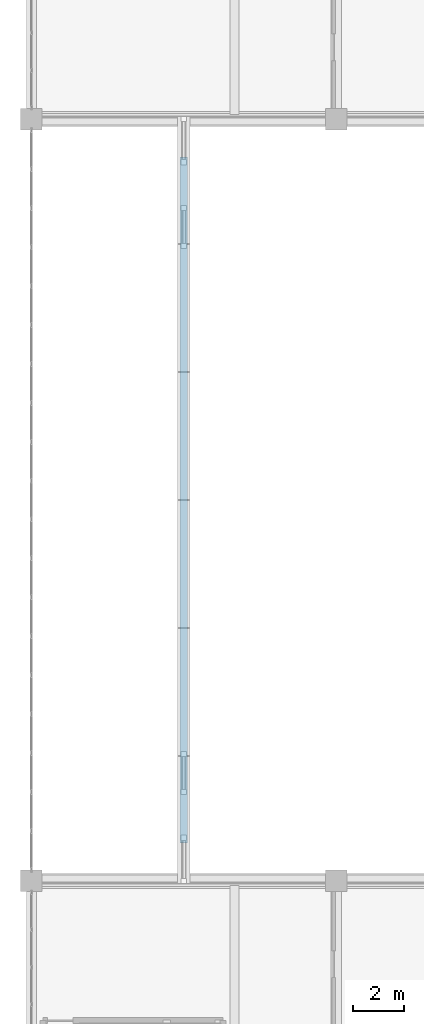
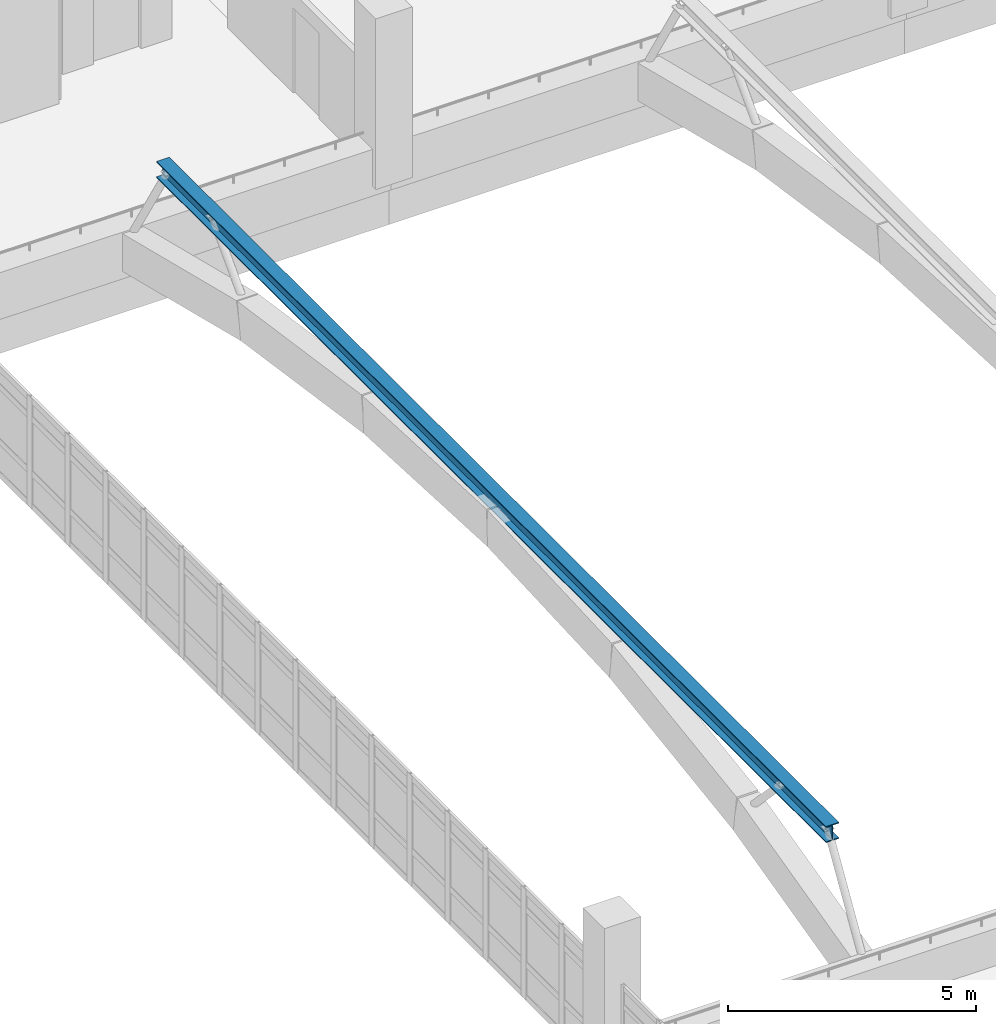
# One storey, part 16 of 161: 1 member.
"""IFC4 building model written with IfcOpenShell, lengths in metres."""

from ifc_helpers import new_model, si_unit, direction, frame, origin, origin_2d, place, context, subcontext, project, spatial, i_section, extrude, material, material_profile, profile_set, type_object, element, save


model = new_model("IFC4")

# Units and contexts
model_context = context("Model", 3, precision=1e-05, world=origin(), true_north=direction((0.0, 1.0)))
body_context = subcontext(model_context, "Body", "Model", "MODEL_VIEW")
ifc_project = project(units=[si_unit("LENGTHUNIT", "METRE"), si_unit("AREAUNIT", "SQUARE_METRE"), si_unit("VOLUMEUNIT", "CUBIC_METRE"), si_unit("PLANEANGLEUNIT", "RADIAN"), si_unit("MASSUNIT", "GRAM", prefix="KILO")], contexts=[model_context])

# Site, building, storey
site_placement = place(None, origin())
site = spatial("IfcSite", under=ifc_project, at=site_placement, CompositionType="ELEMENT")
building_placement = place(site_placement, origin())
building = spatial("IfcBuilding", under=site, at=building_placement, Name="Mersad Railyard Sports Hall", CompositionType="ELEMENT")
storey_placement = place(building_placement, frame((0.0, 0.0, 4.800048828125)))
storey = spatial("IfcBuildingStorey", under=building, at=storey_placement, Name="L01", CompositionType="ELEMENT", Elevation=4.800048828125)

# Member
ifc_material = material(Name="Steel S355", Category="steel")
ifc_material_profile = material_profile(ifc_material, i_section(OverallWidth=0.300048828125, OverallDepth=0.39990234375, WebThickness=0.013427734375, FlangeThickness=0.02392578125, at=origin_2d()), Name="HEB 400")
ifc_profile_set = profile_set([ifc_material_profile], Name="Steel S355")
member_type = type_object("IfcMemberType", Name="STR-MEM-CH03", PredefinedType="CHORD", material=ifc_profile_set)
member_placement = place(storey_placement, frame((13.0, 15.0, 3.14990234375), z_axis=(0.0, 1.0, 0.0), x_axis=(-1.0, 0.0, 0.0)))
element("IfcMember", 1, at=member_placement, inside=storey, type_object=member_type, Name="Structural member CH03-0059", PredefinedType="CHORD", context=body_context, shape_type="SweptSolid", body=[
    extrude(i_section(OverallWidth=0.300048828125, OverallDepth=0.39990234375, WebThickness=0.013427734375, FlangeThickness=0.02392578125, at=origin_2d()), origin(), (0.0, 0.0, 1.0), 27.0),
])

save(model, "model.ifc")
